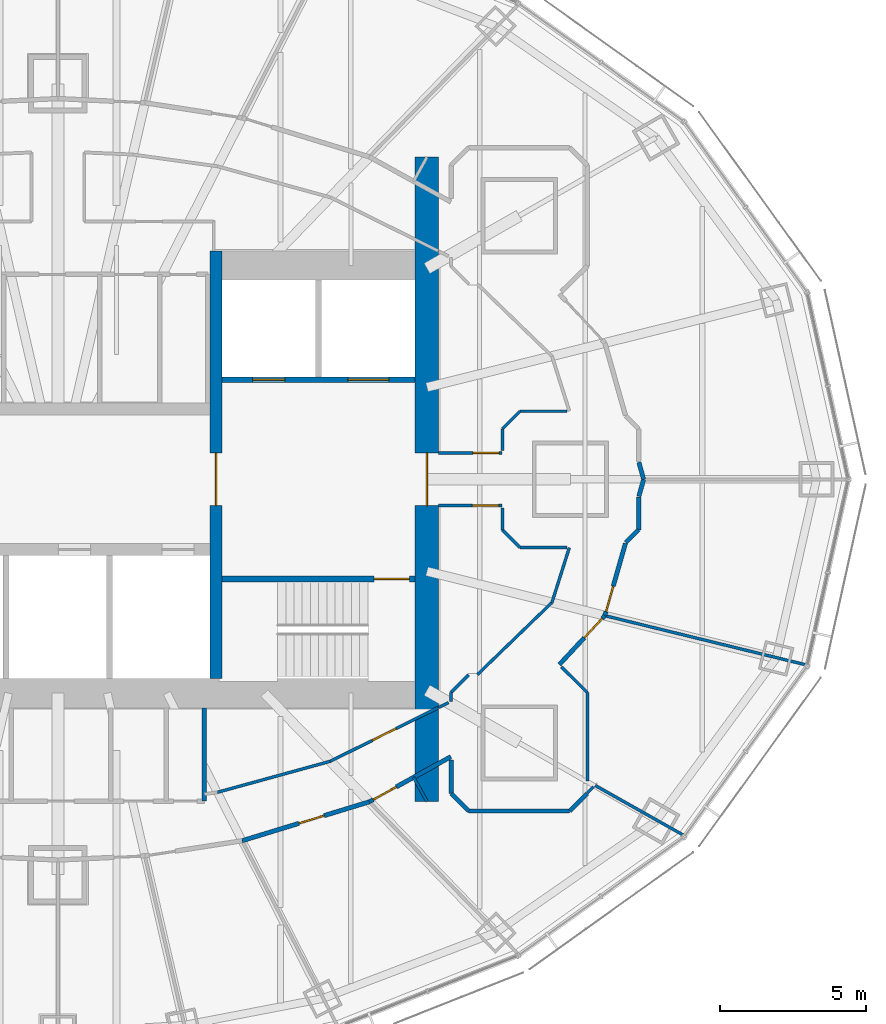
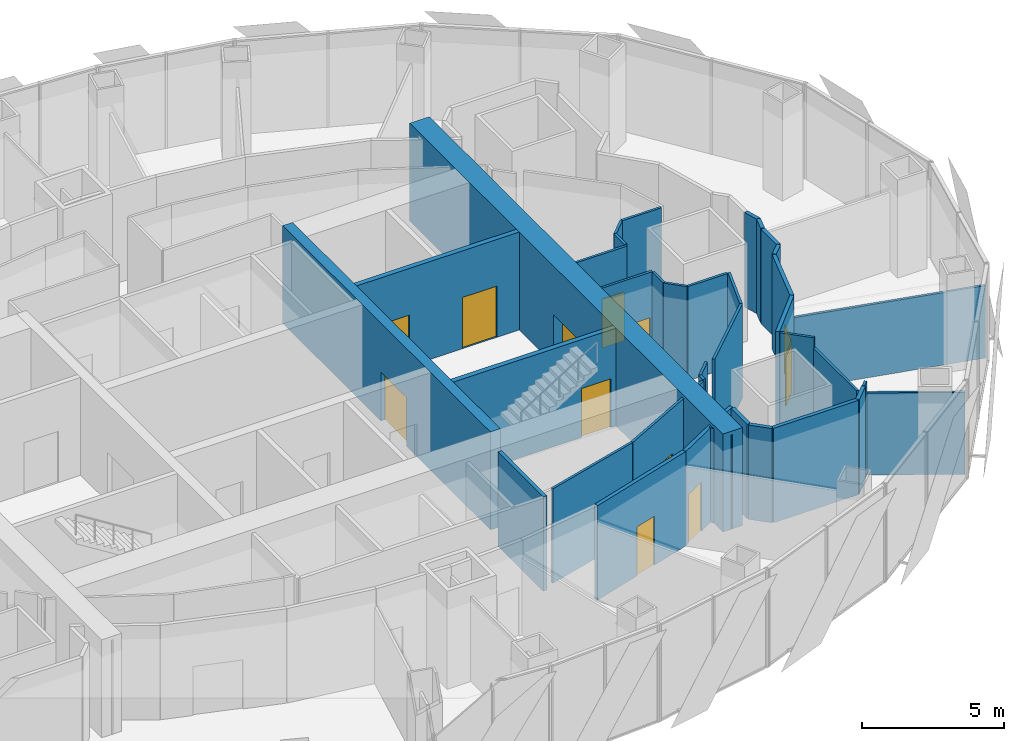
# One storey, part 14 of 19: 38 walls, 12 doors, 12 openings.
"""IFC4 building model written with IfcOpenShell, lengths in metres."""

import ifcopenshell
import ifcopenshell.guid

model = None  # the IFC model being written
_history = None  # IfcOwnerHistory: only IFC2X3 demands one
_inside = {}  # id of a spatial element -> (the spatial element, [elements in it])
_under = {}  # id of a project, library or spatial element -> (it, [spatial elements below it])
_declared = {}  # id of a project -> (the project, [libraries it declares])
_typed = {}  # id of a type object -> (the type object, [elements of that type])
_made_of = {}  # id of a material, layer set ... -> (it, [elements and type objects made of it])


def new_model(schema):
    """Start an empty IFC model of exactly this schema.

    Asked for "IFC4X3", IfcOpenShell would pick the latest addendum, in which some entities
    have other attributes; the version numbers below select the first issue.
    IFC2X3 requires an IfcOwnerHistory on every rooted entity: one is made here for all.
    """
    global model, _history
    if schema == "IFC4X3":
        model = ifcopenshell.file(schema_version=(4, 3, 0, 0))
    else:
        model = ifcopenshell.file(schema=schema)
    _inside.clear()
    _under.clear()
    _declared.clear()
    _typed.clear()
    _made_of.clear()
    _history = None
    if model.schema == "IFC2X3":
        org = make("IfcOrganization", Name="unknown")
        user = make(
            "IfcPersonAndOrganization",
            ThePerson=make("IfcPerson", FamilyName="unknown"),
            TheOrganization=org,
        )
        app = make(
            "IfcApplication",
            ApplicationDeveloper=org,
            Version="unknown",
            ApplicationFullName="unknown",
            ApplicationIdentifier="unknown",
        )
        _history = make(
            "IfcOwnerHistory",
            OwningUser=user,
            OwningApplication=app,
            ChangeAction="ADDED",
            CreationDate=0,
        )
    return model


def make(cls, **values):
    """One entity of the class cls with the attributes given. An attribute that is None is left unset."""
    return model.create_entity(
        cls, **{name: value for name, value in values.items() if value is not None}
    )


def rooted(cls, **values):
    """An entity with a GlobalId (a new one), such as an element, a storey or a relation."""
    return make(cls, GlobalId=ifcopenshell.guid.new(), OwnerHistory=_history, **values)


def si_unit(unit_type, name, prefix=None):
    """IfcSIUnit, for example si_unit("LENGTHUNIT", "METRE", prefix="MILLI")."""
    return make("IfcSIUnit", UnitType=unit_type, Prefix=prefix, Name=name)


def assignment(units):
    """IfcUnitAssignment: the units of a project."""
    return None if units is None else make("IfcUnitAssignment", Units=units)


def point(xyz):
    """IfcCartesianPoint."""
    return None if xyz is None else make("IfcCartesianPoint", Coordinates=xyz)


def direction(xyz):
    """IfcDirection."""
    return None if xyz is None else make("IfcDirection", DirectionRatios=xyz)


def frame(location, z_axis=None, x_axis=None):
    """IfcAxis2Placement3D, a coordinate frame: its origin and axes. An axis left out is left unset."""
    return make(
        "IfcAxis2Placement3D",
        Location=point(location),
        Axis=direction(z_axis),
        RefDirection=direction(x_axis),
    )


def frame_2d(location, x_axis=None):
    """IfcAxis2Placement2D, a coordinate frame in the plane: its origin and x axis."""
    return make(
        "IfcAxis2Placement2D", Location=point(location), RefDirection=direction(x_axis)
    )


def origin():
    """The frame at (0, 0, 0) with its axes left unset."""
    return frame((0.0, 0.0, 0.0))


def place(relative_to, where):
    """IfcLocalPlacement: puts the frame where relative to a parent placement (None: the world)."""
    return make(
        "IfcLocalPlacement", PlacementRelTo=relative_to, RelativePlacement=where
    )


def context(
    kind, dimensions, precision=None, world=None, true_north=None, identifier=None
):
    """IfcGeometricRepresentationContext, for example the 3D "Model" context."""
    return make(
        "IfcGeometricRepresentationContext",
        ContextIdentifier=identifier,
        ContextType=kind,
        CoordinateSpaceDimension=dimensions,
        Precision=precision,
        WorldCoordinateSystem=world,
        TrueNorth=true_north,
    )


def subcontext(parent, identifier, kind, view, scale=None):
    """IfcGeometricRepresentationSubContext, for example "Body" below "Model"."""
    return make(
        "IfcGeometricRepresentationSubContext",
        ContextIdentifier=identifier,
        ContextType=kind,
        ParentContext=parent,
        TargetScale=scale,
        TargetView=view,
    )


def project(units=None, contexts=None):
    """IfcProject with its units and contexts."""
    return rooted(
        "IfcProject",
        Name="project",
        RepresentationContexts=contexts,
        UnitsInContext=assignment(units),
    )


def spatial(cls, under=None, at=None, **own):
    """A site, building, storey or space (cls), placed at a placement, below another one or the project."""
    s = rooted(cls, ObjectPlacement=at, **own)
    if under is not None:
        _under.setdefault(under.id(), (under, []))[1].append(s)
    return s


def profile(cls, at=None, kind="AREA", **sizes):
    """A parametric profile (cls). Its sizes go by their IFC names, for example OverallWidth=200.0."""
    return make(cls, ProfileType=kind, Position=at, **sizes)


def rectangle(**sizes):
    """IfcRectangleProfileDef."""
    return profile("IfcRectangleProfileDef", **sizes)


def extrude(swept, where, along, depth):
    """IfcExtrudedAreaSolid: the profile swept, set in the frame where, extruded along a direction by depth."""
    return make(
        "IfcExtrudedAreaSolid",
        SweptArea=swept,
        Position=where,
        ExtrudedDirection=direction(along),
        Depth=depth,
    )


def shape(context_of_items, identifier, shape_type, items):
    """IfcShapeRepresentation: the items that make up one representation, for example the "Body"."""
    return make(
        "IfcShapeRepresentation",
        ContextOfItems=context_of_items,
        RepresentationIdentifier=identifier,
        RepresentationType=shape_type,
        Items=items,
    )


def material(Name=None, Category=None):
    """IfcMaterial."""
    return make("IfcMaterial", Name=Name, Category=Category)


def layer(
    of_material, thickness, ventilated=None, Name=None, Category=None, Priority=None
):
    """IfcMaterialLayer: one layer of a wall or slab, of a material (None: an air gap)."""
    return make(
        "IfcMaterialLayer",
        Material=of_material,
        LayerThickness=thickness,
        IsVentilated=ventilated,
        Name=Name,
        Category=Category,
        Priority=Priority,
    )


def layer_set(layers, Name=None):
    """IfcMaterialLayerSet."""
    return make("IfcMaterialLayerSet", MaterialLayers=layers, LayerSetName=Name)


def made_of(thing, what):
    """Note that an element or type object is made of a material, layer set ...; save() writes the relation."""
    if what is not None:
        _made_of.setdefault(what.id(), (what, []))[1].append(thing)
    return thing


def type_object(cls, material=None, **own):
    """A type object (cls), such as IfcWallType, which elements share."""
    return made_of(rooted(cls, **own), material)


def element(
    cls,
    number,
    at=None,
    inside=None,
    cuts=None,
    type_object=None,
    material=None,
    context=None,
    identifier="Body",
    shape_type=None,
    held_by="IfcProductDefinitionShape",
    body=None,
    shapes=None,
    **own,
):
    """One element of the class cls, such as IfcWall. Its Tag is "e" and its number.

    at: its placement. inside: the storey or other place that contains it. cuts: it is an
    opening in that element (IfcRelVoidsElement). A single representation is given by context,
    identifier, shape_type and body (its items); several are given by shapes. held_by: the class
    of the entity that holds the representations. save() writes the other relations.
    """
    e = rooted(cls, Tag="e%d" % number, ObjectPlacement=at, **own)
    if body is not None:
        shapes = [shape(context, identifier, shape_type, body)]
    if shapes is not None:
        e.Representation = make(held_by, Representations=shapes)
    if inside is not None:
        _inside.setdefault(inside.id(), (inside, []))[1].append(e)
    if cuts is not None:
        rooted(
            "IfcRelVoidsElement", RelatingBuildingElement=cuts, RelatedOpeningElement=e
        )
    if type_object is not None:
        _typed.setdefault(type_object.id(), (type_object, []))[1].append(e)
    return made_of(e, material)


def fill(opening, filler):
    """IfcRelFillsElement: the door or window that sits in an opening."""
    return rooted(
        "IfcRelFillsElement",
        RelatingOpeningElement=opening,
        RelatedBuildingElement=filler,
    )


def aggregate(whole, parts):
    """IfcRelAggregates: a whole, such as a stair, and the parts it consists of."""
    return rooted("IfcRelAggregates", RelatingObject=whole, RelatedObjects=parts)


def save(model, path):
    """Write the relations noted so far, then the file.

    IfcRelAggregates (storeys below a building ...), IfcRelContainedInSpatialStructure (elements
    in a storey), IfcRelDefinesByType, IfcRelAssociatesMaterial and IfcRelDeclares: one each for
    every whole, place, type object, material and project.
    """
    for whole, parts in _under.values():
        aggregate(whole, parts)
    for where, things in _inside.values():
        rooted(
            "IfcRelContainedInSpatialStructure",
            RelatedElements=things,
            RelatingStructure=where,
        )
    for kind, things in _typed.values():
        rooted("IfcRelDefinesByType", RelatedObjects=things, RelatingType=kind)
    for what, things in _made_of.values():
        rooted("IfcRelAssociatesMaterial", RelatedObjects=things, RelatingMaterial=what)
    for by, libraries in _declared.values():
        rooted("IfcRelDeclares", RelatingContext=by, RelatedDefinitions=libraries)
    model.write(path)


model = new_model("IFC4")

# Units and contexts
model_context = context("Model", 3, precision=1e-05, world=origin(), true_north=direction((0.0, 1.0)))
body_context = subcontext(model_context, "Body", "Model", "MODEL_VIEW")
ifc_project = project(units=[si_unit("LENGTHUNIT", "METRE"), si_unit("AREAUNIT", "SQUARE_METRE"), si_unit("VOLUMEUNIT", "CUBIC_METRE"), si_unit("PLANEANGLEUNIT", "RADIAN"), si_unit("MASSUNIT", "GRAM", prefix="KILO")], contexts=[model_context])

# Site, building, storey
site_placement = place(None, origin())
site = spatial("IfcSite", under=ifc_project, at=site_placement, CompositionType="ELEMENT")
building_placement = place(site_placement, origin())
building = spatial("IfcBuilding", under=site, at=building_placement, Name="Lantaw Convention Tower", CompositionType="ELEMENT")
storey_placement = place(building_placement, frame((0.0, 0.0, 245.199951171875)))
storey = spatial("IfcBuildingStorey", under=building, at=storey_placement, Name="L57", CompositionType="ELEMENT", Elevation=245.199951171875)

# Wall, opening, door
ifc_material_1 = material(Name="Concrete C60/75", Category="concrete")
ifc_layer_1 = layer(ifc_material_1, 0.199951171875)
ifc_layer_set_1 = layer_set([ifc_layer_1], Name="Core wall 200")
wall_type_1 = type_object("IfcWallType", Name="Core wall 200", PredefinedType="SHEAR", material=ifc_layer_set_1)
wall_1_placement = place(storey_placement, frame((5.60009765625, -3.39990234375, 0.0), z_axis=(0.0, 0.0, 1.0), x_axis=(1.0, 0.0, 0.0)))
wall_1 = element("IfcWall", 1, at=wall_1_placement, inside=storey, type_object=wall_type_1, Name="Core wall ES", PredefinedType="SHEAR", context=body_context, shape_type="SweptSolid", body=[
    extrude(rectangle(XDim=6.599853515625, YDim=0.199951171875, at=frame_2d((3.2998046875, 0.0))), origin(), (0.0, 0.0, 1.0), 4.199951171875),
])
opening_1_placement = place(wall_1_placement, frame((5.199951171875, 0.0, 0.0)))
opening_1 = element("IfcOpeningElement", 2, at=opening_1_placement, cuts=wall_1, Name="Opening L57.03", PredefinedType="OPENING", context=body_context, shape_type="SweptSolid", body=[
    extrude(rectangle(XDim=1.199951171875, YDim=2.10009765625, at=frame_2d((0.60009765625, 1.050048828125))), frame((0.0, 0.10986328125, 0.0), z_axis=(0.0, -1.0, 0.0), x_axis=(1.0, 0.0, 0.0)), (0.0, 0.0, 1.0), 0.219970703125),
])
ifc_material_2 = material(Name="Steel, fire rated", Category="steel")
door_type_1 = type_object("IfcDoorType", Name="Stair door FD90", OperationType="SINGLE_SWING_RIGHT", PredefinedType="DOOR", material=ifc_material_2)
door_1_placement = place(opening_1_placement, origin())
door_1 = element("IfcDoor", 3, at=door_1_placement, inside=storey, type_object=door_type_1, Name="Exit stair door", OperationType="SINGLE_SWING_RIGHT", OverallHeight=2.10009765625, OverallWidth=1.199951171875, PredefinedType="DOOR", context=body_context, shape_type="SweptSolid", body=[
    extrude(rectangle(XDim=1.199951171875, YDim=2.10009765625, at=frame_2d((0.60009765625, 1.050048828125))), frame((0.0, 0.02490234375, 0.0), z_axis=(0.0, -1.0, 0.0), x_axis=(1.0, 0.0, 0.0)), (0.0, 0.0, 1.0), 0.050048828125),
])
fill(opening_1, door_1)

ifc_layer_2 = layer(ifc_material_1, 0.39990234375)
ifc_layer_set_2 = layer_set([ifc_layer_2], Name="Core wall 400")
wall_type_2 = type_object("IfcWallType", Name="Core wall 400", PredefinedType="SHEAR", material=ifc_layer_set_2)
wall_2_placement = place(storey_placement, frame((5.39990234375, -6.800048828125, 0.0), z_axis=(0.0, 0.0, 1.0), x_axis=(0.0, 1.0, 0.0)))
wall_2 = element("IfcWall", 4, at=wall_2_placement, inside=storey, type_object=wall_type_2, Name="Core wall XE", PredefinedType="SHEAR", context=body_context, shape_type="SweptSolid", body=[
    extrude(rectangle(XDim=14.60009765625, YDim=0.39990234375, at=frame_2d((7.300048828125, 0.0))), origin(), (0.0, 0.0, 1.0), 4.199951171875),
])
opening_2_placement = place(wall_2_placement, frame((5.89990234375, 0.0, 0.0)))
opening_2 = element("IfcOpeningElement", 5, at=opening_2_placement, cuts=wall_2, Name="Opening L57.01", PredefinedType="OPENING", context=body_context, shape_type="SweptSolid", body=[
    extrude(rectangle(XDim=1.800048828125, YDim=2.10009765625, at=frame_2d((0.89990234375, 1.050048828125))), frame((0.0, 0.2099609375, 0.0), z_axis=(0.0, -1.0, 0.0), x_axis=(1.0, 0.0, 0.0)), (0.0, 0.0, 1.0), 0.419921875),
])
door_type_2 = type_object("IfcDoorType", Name="Lobby double door FD90", OperationType="DOUBLE_DOOR_DOUBLE_SWING", PredefinedType="DOOR", material=ifc_material_2)
door_2_placement = place(opening_2_placement, origin())
door_2 = element("IfcDoor", 6, at=door_2_placement, inside=storey, type_object=door_type_2, Name="Lift lobby door", OperationType="DOUBLE_DOOR_DOUBLE_SWING", OverallHeight=2.10009765625, OverallWidth=1.800048828125, PredefinedType="DOOR", context=body_context, shape_type="SweptSolid", body=[
    extrude(rectangle(XDim=1.800048828125, YDim=2.10009765625, at=frame_2d((0.89990234375, 1.050048828125))), frame((0.0, 0.02490234375, 0.0), z_axis=(0.0, -1.0, 0.0), x_axis=(1.0, 0.0, 0.0)), (0.0, 0.0, 1.0), 0.050048828125),
])
fill(opening_2, door_2)

ifc_layer_3 = layer(ifc_material_1, 0.800048828125)
ifc_layer_set_3 = layer_set([ifc_layer_3], Name="Core wall 800")
wall_type_3 = type_object("IfcWallType", Name="Core wall 800", PredefinedType="SHEAR", material=ifc_layer_set_3)
wall_3_placement = place(storey_placement, frame((12.60009765625, -11.0, 0.0), z_axis=(0.0, 0.0, 1.0), x_axis=(0.0, 1.0, 0.0)))
wall_3 = element("IfcWall", 7, at=wall_3_placement, inside=storey, type_object=wall_type_3, Name="Core wall E", PredefinedType="SHEAR", context=body_context, shape_type="SweptSolid", body=[
    extrude(rectangle(XDim=22.0, YDim=0.800048828125, at=frame_2d((11.0, 0.0))), origin(), (0.0, 0.0, 1.0), 4.199951171875),
])
opening_3_placement = place(wall_3_placement, frame((10.10009765625, 0.0, 0.0)))
opening_3 = element("IfcOpeningElement", 8, at=opening_3_placement, cuts=wall_3, Name="Opening L57.05", PredefinedType="OPENING", context=body_context, shape_type="SweptSolid", body=[
    extrude(rectangle(XDim=1.800048828125, YDim=2.10009765625, at=frame_2d((0.89990234375, 1.050048828125))), frame((0.0, 0.409912109375, 0.0), z_axis=(0.0, -1.0, 0.0), x_axis=(1.0, 0.0, 0.0)), (0.0, 0.0, 1.0), 0.820068359375),
])
door_3_placement = place(opening_3_placement, origin())
door_3 = element("IfcDoor", 9, at=door_3_placement, inside=storey, type_object=door_type_2, Name="Firefighting lobby door", OperationType="DOUBLE_DOOR_DOUBLE_SWING", OverallHeight=2.10009765625, OverallWidth=1.800048828125, PredefinedType="DOOR", context=body_context, shape_type="SweptSolid", body=[
    extrude(rectangle(XDim=1.800048828125, YDim=2.10009765625, at=frame_2d((0.89990234375, 1.050048828125))), frame((0.0, 0.02490234375, 0.0), z_axis=(0.0, -1.0, 0.0), x_axis=(1.0, 0.0, 0.0)), (0.0, 0.0, 1.0), 0.050048828125),
])
fill(opening_3, door_3)

ifc_material_3 = material(Name="Gypsum board on steel studs, fire rated", Category="steel")
ifc_layer_4 = layer(ifc_material_3, 0.14990234375)
ifc_layer_set_4 = layer_set([ifc_layer_4], Name="Corridor wall 150 EI 60")
wall_type_4 = type_object("IfcWallType", Name="Corridor wall 150 EI 60", PredefinedType="PARTITIONING", material=ifc_layer_set_4)
wall_4_placement = place(storey_placement, frame((6.287841796875, -12.3408203125, 0.0), z_axis=(0.0, 0.0, 1.0), x_axis=(0.956185837153, 0.292760388079, 0.0)))
wall_4 = element("IfcWall", 10, at=wall_4_placement, inside=storey, type_object=wall_type_4, Name="Corridor wall 150", PredefinedType="PARTITIONING", context=body_context, shape_type="SweptSolid", body=[
    extrude(rectangle(XDim=4.5439453125, YDim=0.14990234375, at=frame_2d((2.27197265625, 0.0))), origin(), (0.0, 0.0, 1.0), 4.050048828125),
])
opening_4_placement = place(wall_4_placement, frame((2.031005859375, 0.0, 0.0)))
opening_4 = element("IfcOpeningElement", 11, at=opening_4_placement, cuts=wall_4, Name="Opening L57.42", PredefinedType="OPENING", context=body_context, shape_type="SweptSolid", body=[
    extrude(rectangle(XDim=0.89990234375, YDim=2.10009765625, at=frame_2d((0.449951171875, 1.050048828125))), frame((0.0, 0.0849609375, 0.0), z_axis=(0.0, -1.0, 0.0), x_axis=(1.0, 0.0, 0.0)), (0.0, 0.0, 1.0), 0.169921875),
])
door_type_3 = type_object("IfcDoorType", Name="Office door 900 FD30", OperationType="SINGLE_SWING_LEFT", PredefinedType="DOOR", material=ifc_material_2)
door_4_placement = place(opening_4_placement, origin())
door_4 = element("IfcDoor", 12, at=door_4_placement, inside=storey, type_object=door_type_3, Name="Private office door", OperationType="SINGLE_SWING_LEFT", OverallHeight=2.10009765625, OverallWidth=0.89990234375, PredefinedType="DOOR", context=body_context, shape_type="SweptSolid", body=[
    extrude(rectangle(XDim=0.89990234375, YDim=2.10009765625, at=frame_2d((0.449951171875, 1.050048828125))), frame((0.0, 0.02490234375, 0.0), z_axis=(0.0, -1.0, 0.0), x_axis=(1.0, 0.0, 0.0)), (0.0, 0.0, 1.0), 0.050048828125),
])
fill(opening_4, door_4)

wall_5_placement = place(storey_placement, frame((10.6328125, -11.010498046875, 0.0), z_axis=(0.0, 0.0, 1.0), x_axis=(0.875072100837, 0.483992580869, 0.0)))
wall_5 = element("IfcWall", 13, at=wall_5_placement, inside=storey, type_object=wall_type_4, Name="Corridor wall 150", PredefinedType="PARTITIONING", context=body_context, shape_type="SweptSolid", body=[
    extrude(rectangle(XDim=3.179443359375, YDim=0.14990234375, at=frame_2d((1.58984375, 0.0))), origin(), (0.0, 0.0, 1.0), 4.050048828125),
])
opening_5_placement = place(wall_5_placement, frame((0.14990234375, 0.0, 0.0)))
opening_5 = element("IfcOpeningElement", 14, at=opening_5_placement, cuts=wall_5, Name="Opening L57.43", PredefinedType="OPENING", context=body_context, shape_type="SweptSolid", body=[
    extrude(rectangle(XDim=0.89990234375, YDim=2.10009765625, at=frame_2d((0.449951171875, 1.050048828125))), frame((0.0, 0.0849609375, 0.0), z_axis=(0.0, -1.0, 0.0), x_axis=(1.0, 0.0, 0.0)), (0.0, 0.0, 1.0), 0.169921875),
])
door_5_placement = place(opening_5_placement, origin())
door_5 = element("IfcDoor", 15, at=door_5_placement, inside=storey, type_object=door_type_3, Name="Private office door", OperationType="SINGLE_SWING_LEFT", OverallHeight=2.10009765625, OverallWidth=0.89990234375, PredefinedType="DOOR", context=body_context, shape_type="SweptSolid", body=[
    extrude(rectangle(XDim=0.89990234375, YDim=2.10009765625, at=frame_2d((0.449951171875, 1.050048828125))), frame((0.0, 0.02490234375, 0.0), z_axis=(0.0, -1.0, 0.0), x_axis=(1.0, 0.0, 0.0)), (0.0, 0.0, 1.0), 0.050048828125),
])
fill(opening_5, door_5)

wall_6_placement = place(storey_placement, frame((17.121337890625, -6.32470703125, 0.0), z_axis=(0.0, 0.0, 1.0), x_axis=(0.680985069419, 0.732297299755, 0.0)))
wall_6 = element("IfcWall", 16, at=wall_6_placement, inside=storey, type_object=wall_type_4, Name="Corridor wall 150", PredefinedType="PARTITIONING", context=body_context, shape_type="SweptSolid", body=[
    extrude(rectangle(XDim=2.279052734375, YDim=0.14990234375, at=frame_2d((1.1396484375, 0.0))), origin(), (0.0, 0.0, 1.0), 4.050048828125),
])
opening_6_placement = place(wall_6_placement, frame((1.25, 0.0, 0.0)))
opening_6 = element("IfcOpeningElement", 17, at=opening_6_placement, cuts=wall_6, Name="Opening L57.44", PredefinedType="OPENING", context=body_context, shape_type="SweptSolid", body=[
    extrude(rectangle(XDim=0.89990234375, YDim=2.10009765625, at=frame_2d((0.449951171875, 1.050048828125))), frame((0.0, 0.0849609375, 0.0), z_axis=(0.0, -1.0, 0.0), x_axis=(1.0, 0.0, 0.0)), (0.0, 0.0, 1.0), 0.169921875),
])
door_6_placement = place(opening_6_placement, origin())
door_6 = element("IfcDoor", 18, at=door_6_placement, inside=storey, type_object=door_type_3, Name="Pantry door", OperationType="SINGLE_SWING_LEFT", OverallHeight=2.10009765625, OverallWidth=0.89990234375, PredefinedType="DOOR", context=body_context, shape_type="SweptSolid", body=[
    extrude(rectangle(XDim=0.89990234375, YDim=2.10009765625, at=frame_2d((0.449951171875, 1.050048828125))), frame((0.0, 0.02490234375, 0.0), z_axis=(0.0, -1.0, 0.0), x_axis=(1.0, 0.0, 0.0)), (0.0, 0.0, 1.0), 0.050048828125),
])
fill(opening_6, door_6)

# Walls
wall_7_placement = place(storey_placement, frame((18.074951171875, -10.724609375, 0.0), z_axis=(0.0, 0.0, 1.0), x_axis=(-0.707106781187, -0.707106781187, 0.0)))
element("IfcWall", 19, at=wall_7_placement, inside=storey, type_object=wall_type_4, Name="Corridor wall 150", PredefinedType="PARTITIONING", context=body_context, shape_type="SweptSolid", body=[
    extrude(rectangle(XDim=0.84912109375, YDim=0.14990234375, at=frame_2d((0.424560546875, 0.0))), origin(), (0.0, 0.0, 1.0), 4.050048828125),
])
wall_8_placement = place(storey_placement, frame((17.474609375, -11.324951171875, 0.0), z_axis=(0.0, 0.0, 1.0), x_axis=(-1.0, 0.0, 0.0)))
element("IfcWall", 20, at=wall_8_placement, inside=storey, type_object=wall_type_4, Name="Corridor wall 150", PredefinedType="PARTITIONING", context=body_context, shape_type="SweptSolid", body=[
    extrude(rectangle(XDim=3.44921875, YDim=0.14990234375, at=frame_2d((1.724609375, 0.0))), origin(), (0.0, 0.0, 1.0), 4.050048828125),
])
wall_9_placement = place(storey_placement, frame((14.025390625, -11.324951171875, 0.0), z_axis=(0.0, 0.0, 1.0), x_axis=(-0.707106781187, 0.707106781187, 0.0)))
element("IfcWall", 21, at=wall_9_placement, inside=storey, type_object=wall_type_4, Name="Corridor wall 150", PredefinedType="PARTITIONING", context=body_context, shape_type="SweptSolid", body=[
    extrude(rectangle(XDim=0.84912109375, YDim=0.14990234375, at=frame_2d((0.424560546875, 0.0))), origin(), (0.0, 0.0, 1.0), 4.050048828125),
])
wall_10_placement = place(storey_placement, frame((13.425048828125, -10.724609375, 0.0), z_axis=(0.0, 0.0, 1.0), x_axis=(0.0, 1.0, 0.0)))
element("IfcWall", 22, at=wall_10_placement, inside=storey, type_object=wall_type_4, Name="Corridor wall 150", PredefinedType="PARTITIONING", context=body_context, shape_type="SweptSolid", body=[
    extrude(rectangle(XDim=1.138427734375, YDim=0.14990234375, at=frame_2d((0.5693359375, 0.0))), origin(), (0.0, 0.0, 1.0), 4.050048828125),
])
wall_11_placement = place(storey_placement, frame((20.0, 0.0, 0.0), z_axis=(0.0, 0.0, 1.0), x_axis=(-0.27407847996, 0.961707329089, 0.0)))
element("IfcWall", 23, at=wall_11_placement, inside=storey, type_object=wall_type_4, Name="Corridor wall 150", PredefinedType="PARTITIONING", context=body_context, shape_type="SweptSolid", body=[
    extrude(rectangle(XDim=0.60205078125, YDim=0.14990234375, at=frame_2d((0.301025390625, 0.0))), origin(), (0.0, 0.0, 1.0), 4.050048828125),
])

# Wall, opening, door
wall_12_placement = place(storey_placement, frame((18.67333984375, -4.65576171875, 0.0), z_axis=(0.0, 0.0, 1.0), x_axis=(0.274067949327, 0.961710330168, 0.0)))
wall_12 = element("IfcWall", 24, at=wall_12_placement, inside=storey, type_object=wall_type_4, Name="Corridor wall 150", PredefinedType="PARTITIONING", context=body_context, shape_type="SweptSolid", body=[
    extrude(rectangle(XDim=2.5673828125, YDim=0.14990234375, at=frame_2d((1.28369140625, 0.0))), origin(), (0.0, 0.0, 1.0), 4.050048828125),
])
opening_7_placement = place(wall_12_placement, frame((0.14990234375, 0.0, 0.0)))
opening_7 = element("IfcOpeningElement", 25, at=opening_7_placement, cuts=wall_12, Name="Opening L57.45", PredefinedType="OPENING", context=body_context, shape_type="SweptSolid", body=[
    extrude(rectangle(XDim=0.89990234375, YDim=2.10009765625, at=frame_2d((0.449951171875, 1.050048828125))), frame((0.0, 0.0849609375, 0.0), z_axis=(0.0, -1.0, 0.0), x_axis=(1.0, 0.0, 0.0)), (0.0, 0.0, 1.0), 0.169921875),
])
door_7_placement = place(opening_7_placement, origin())
door_7 = element("IfcDoor", 26, at=door_7_placement, inside=storey, type_object=door_type_3, Name="Quiet room door", OperationType="SINGLE_SWING_LEFT", OverallHeight=2.10009765625, OverallWidth=0.89990234375, PredefinedType="DOOR", context=body_context, shape_type="SweptSolid", body=[
    extrude(rectangle(XDim=0.89990234375, YDim=2.10009765625, at=frame_2d((0.449951171875, 1.050048828125))), frame((0.0, 0.02490234375, 0.0), z_axis=(0.0, -1.0, 0.0), x_axis=(1.0, 0.0, 0.0)), (0.0, 0.0, 1.0), 0.050048828125),
])
fill(opening_7, door_7)

# Walls
wall_13_placement = place(storey_placement, frame((19.8349609375, -0.5791015625, 0.0), z_axis=(0.0, 0.0, 1.0), x_axis=(0.27407847996, 0.961707329089, 0.0)))
element("IfcWall", 27, at=wall_13_placement, inside=storey, type_object=wall_type_4, Name="Corridor wall 150", PredefinedType="PARTITIONING", context=body_context, shape_type="SweptSolid", body=[
    extrude(rectangle(XDim=0.60205078125, YDim=0.14990234375, at=frame_2d((0.301025390625, 0.0))), origin(), (0.0, 0.0, 1.0), 4.050048828125),
])
wall_14_placement = place(storey_placement, frame((19.824951171875, -0.607421875, 0.0), z_axis=(0.0, 0.0, 1.0), x_axis=(0.0, -1.0, 0.0)))
element("IfcWall", 28, at=wall_14_placement, inside=storey, type_object=wall_type_4, Name="Corridor wall 150", PredefinedType="PARTITIONING", context=body_context, shape_type="SweptSolid", body=[
    extrude(rectangle(XDim=1.1171875, YDim=0.14990234375, at=frame_2d((0.55859375, 0.0))), origin(), (0.0, 0.0, 1.0), 4.050048828125),
])
wall_15_placement = place(storey_placement, frame((19.824951171875, -1.724609375, 0.0), z_axis=(0.0, 0.0, 1.0), x_axis=(-0.707106781187, -0.707106781187, 0.0)))
element("IfcWall", 29, at=wall_15_placement, inside=storey, type_object=wall_type_4, Name="Corridor wall 150", PredefinedType="PARTITIONING", context=body_context, shape_type="SweptSolid", body=[
    extrude(rectangle(XDim=0.614990234375, YDim=0.14990234375, at=frame_2d((0.3076171875, 0.0))), origin(), (0.0, 0.0, 1.0), 4.050048828125),
])
ifc_material_4 = material(Name="Gypsum board on steel studs, acoustic", Category="steel")
ifc_layer_5 = layer(ifc_material_4, 0.10009765625)
ifc_layer_set_5 = layer_set([ifc_layer_5], Name="Office partition 100")
wall_type_5 = type_object("IfcWallType", Name="Office partition 100", PredefinedType="PARTITIONING", material=ifc_layer_set_5)
wall_16_placement = place(storey_placement, frame((25.54296875, -6.33544921875, 0.0), z_axis=(0.0, 0.0, 1.0), x_axis=(-0.971384494438, 0.237512450129, 0.0)))
element("IfcWall", 30, at=wall_16_placement, inside=storey, type_object=wall_type_5, Name="Office partition 100", PredefinedType="PARTITIONING", context=body_context, shape_type="SweptSolid", body=[
    extrude(rectangle(XDim=7.072021484375, YDim=0.10009765625, at=frame_2d((3.5361328125, 0.0))), origin(), (0.0, 0.0, 1.0), 3.107666015625),
])

# Wall, opening, door
wall_17_placement = place(storey_placement, frame((12.976806640625, -7.800048828125, 0.0), z_axis=(0.0, 0.0, 1.0), x_axis=(-0.895529831139, -0.445001484874, 0.0)))
wall_17 = element("IfcWall", 31, at=wall_17_placement, inside=storey, type_object=wall_type_5, Name="Office partition 100", PredefinedType="PARTITIONING", context=body_context, shape_type="SweptSolid", body=[
    extrude(rectangle(XDim=4.108154296875, YDim=0.10009765625, at=frame_2d((2.05419921875, 0.0))), origin(), (0.0, 0.0, 1.0), 4.050048828125),
])
opening_8_placement = place(wall_17_placement, frame((1.60400390625, 0.0, 0.0)))
opening_8 = element("IfcOpeningElement", 32, at=opening_8_placement, cuts=wall_17, Name="Opening L57.24", PredefinedType="OPENING", context=body_context, shape_type="SweptSolid", body=[
    extrude(rectangle(XDim=0.89990234375, YDim=2.10009765625, at=frame_2d((0.449951171875, 1.050048828125))), frame((0.0, 0.06005859375, 0.0), z_axis=(0.0, -1.0, 0.0), x_axis=(1.0, 0.0, 0.0)), (0.0, 0.0, 1.0), 0.1201171875),
])
ifc_material_5 = material(Name="Timber", Category="wood")
door_type_4 = type_object("IfcDoorType", Name="Office door 900", OperationType="SINGLE_SWING_LEFT", PredefinedType="DOOR", material=ifc_material_5)
door_8_placement = place(opening_8_placement, origin())
door_8 = element("IfcDoor", 33, at=door_8_placement, inside=storey, type_object=door_type_4, Name="Tenant storage room door", OperationType="SINGLE_SWING_LEFT", OverallHeight=2.10009765625, OverallWidth=0.89990234375, PredefinedType="DOOR", context=body_context, shape_type="SweptSolid", body=[
    extrude(rectangle(XDim=0.89990234375, YDim=2.10009765625, at=frame_2d((0.449951171875, 1.050048828125))), frame((0.0, 0.02490234375, 0.0), z_axis=(0.0, -1.0, 0.0), x_axis=(1.0, 0.0, 0.0)), (0.0, 0.0, 1.0), 0.050048828125),
])
fill(opening_8, door_8)

# Walls
wall_18_placement = place(storey_placement, frame((9.2978515625, -9.628173828125, 0.0), z_axis=(0.0, 0.0, 1.0), x_axis=(-0.964244438722, -0.265014456954, 0.0)))
element("IfcWall", 34, at=wall_18_placement, inside=storey, type_object=wall_type_5, Name="Office partition 100", PredefinedType="PARTITIONING", context=body_context, shape_type="SweptSolid", body=[
    extrude(rectangle(XDim=3.995361328125, YDim=0.10009765625, at=frame_2d((1.99755859375, 0.0))), origin(), (0.0, 0.0, 1.0), 4.050048828125),
])
wall_19_placement = place(storey_placement, frame((13.3369140625, -7.62109375, 0.0), z_axis=(0.0, 0.0, 1.0), x_axis=(-0.895721570004, -0.444615416995, 0.0)))
element("IfcWall", 35, at=wall_19_placement, inside=storey, type_object=wall_type_5, Name="Office partition 100", PredefinedType="PARTITIONING", context=body_context, shape_type="SweptSolid", body=[
    extrude(rectangle(XDim=0.376220703125, YDim=0.10009765625, at=frame_2d((0.18798828125, 0.0))), origin(), (0.0, 0.0, 1.0), 4.050048828125),
])
wall_20_placement = place(storey_placement, frame((12.60009765625, -11.0, 0.0), z_axis=(0.0, 0.0, 1.0), x_axis=(-0.484103558985, 0.875010710893, 0.0)))
element("IfcWall", 36, at=wall_20_placement, inside=storey, type_object=wall_type_5, Name="Office partition 100", PredefinedType="PARTITIONING", context=body_context, shape_type="SweptSolid", body=[
    extrude(rectangle(XDim=0.943115234375, YDim=0.10009765625, at=frame_2d((0.4716796875, 0.0))), origin(), (0.0, 0.0, 1.0), 4.050048828125),
])
wall_21_placement = place(storey_placement, frame((21.3583984375, -12.149658203125, 0.0), z_axis=(0.0, 0.0, 1.0), x_axis=(-0.871494482514, 0.49040530885, 0.0)))
element("IfcWall", 37, at=wall_21_placement, inside=storey, type_object=wall_type_5, Name="Office partition 100", PredefinedType="PARTITIONING", context=body_context, shape_type="SweptSolid", body=[
    extrude(rectangle(XDim=3.45947265625, YDim=0.10009765625, at=frame_2d((1.729736328125, 0.0))), origin(), (0.0, 0.0, 1.0), 3.521728515625),
])
wall_22_placement = place(storey_placement, frame((16.8681640625, -4.205810546875, 0.0), z_axis=(0.0, 0.0, 1.0), x_axis=(-0.718810161381, -0.695206409562, 0.0)))
element("IfcWall", 38, at=wall_22_placement, inside=storey, type_object=wall_type_5, Name="Office partition 100", PredefinedType="PARTITIONING", context=body_context, shape_type="SweptSolid", body=[
    extrude(rectangle(XDim=3.537353515625, YDim=0.10009765625, at=frame_2d((1.7685546875, 0.0))), origin(), (0.0, 0.0, 1.0), 4.050048828125),
])
wall_23_placement = place(storey_placement, frame((13.425048828125, -7.57763671875, 0.0), z_axis=(0.0, 0.0, 1.0), x_axis=(0.0, 1.0, 0.0)))
element("IfcWall", 39, at=wall_23_placement, inside=storey, type_object=wall_type_5, Name="Office partition 100", PredefinedType="PARTITIONING", context=body_context, shape_type="SweptSolid", body=[
    extrude(rectangle(XDim=0.30224609375, YDim=0.10009765625, at=frame_2d((0.151123046875, 0.0))), origin(), (0.0, 0.0, 1.0), 4.050048828125),
])
wall_24_placement = place(storey_placement, frame((13.425048828125, -7.275390625, 0.0), z_axis=(0.0, 0.0, 1.0), x_axis=(0.707106781187, 0.707106781187, 0.0)))
element("IfcWall", 40, at=wall_24_placement, inside=storey, type_object=wall_type_5, Name="Office partition 100", PredefinedType="PARTITIONING", context=body_context, shape_type="SweptSolid", body=[
    extrude(rectangle(XDim=0.84912109375, YDim=0.10009765625, at=frame_2d((0.424560546875, 0.0))), origin(), (0.0, 0.0, 1.0), 4.050048828125),
])
wall_25_placement = place(storey_placement, frame((18.289306640625, -10.493408203125, 0.0), z_axis=(0.0, 0.0, 1.0), x_axis=(-0.707509576179, -0.706703756616, 0.0)))
element("IfcWall", 41, at=wall_25_placement, inside=storey, type_object=wall_type_5, Name="Office partition 100", PredefinedType="PARTITIONING", context=body_context, shape_type="SweptSolid", body=[
    extrude(rectangle(XDim=0.302978515625, YDim=0.10009765625, at=frame_2d((0.1513671875, 0.0))), origin(), (0.0, 0.0, 1.0), 4.050048828125),
])
wall_26_placement = place(storey_placement, frame((17.1865234375, -6.40380859375, 0.0), z_axis=(0.0, 0.0, 1.0), x_axis=(0.713842064016, -0.700306723973, 0.0)))
element("IfcWall", 42, at=wall_26_placement, inside=storey, type_object=wall_type_5, Name="Office partition 100", PredefinedType="PARTITIONING", context=body_context, shape_type="SweptSolid", body=[
    extrude(rectangle(XDim=1.24462890625, YDim=0.10009765625, at=frame_2d((0.622314453125, 0.0))), origin(), (0.0, 0.0, 1.0), 4.050048828125),
])
wall_27_placement = place(storey_placement, frame((18.074951171875, -7.275390625, 0.0), z_axis=(0.0, 0.0, 1.0), x_axis=(0.0, -1.0, 0.0)))
element("IfcWall", 43, at=wall_27_placement, inside=storey, type_object=wall_type_5, Name="Office partition 100", PredefinedType="PARTITIONING", context=body_context, shape_type="SweptSolid", body=[
    extrude(rectangle(XDim=3.026611328125, YDim=0.10009765625, at=frame_2d((1.51318359375, 0.0))), origin(), (0.0, 0.0, 1.0), 3.6005859375),
])

# Wall, opening, door
wall_28_placement = place(storey_placement, frame((13.0, -0.89990234375, 0.0), z_axis=(0.0, 0.0, 1.0), x_axis=(1.0, 0.0, 0.0)))
wall_28 = element("IfcWall", 44, at=wall_28_placement, inside=storey, type_object=wall_type_5, Name="Office partition 100", PredefinedType="PARTITIONING", context=body_context, shape_type="SweptSolid", body=[
    extrude(rectangle(XDim=2.1650390625, YDim=0.10009765625, at=frame_2d((1.08251953125, 0.0))), origin(), (0.0, 0.0, 1.0), 4.050048828125),
])
opening_9_placement = place(wall_28_placement, frame((1.14990234375, 0.0, 0.0)))
opening_9 = element("IfcOpeningElement", 45, at=opening_9_placement, cuts=wall_28, Name="Opening L57.25", PredefinedType="OPENING", context=body_context, shape_type="SweptSolid", body=[
    extrude(rectangle(XDim=0.89990234375, YDim=2.10009765625, at=frame_2d((0.449951171875, 1.050048828125))), frame((0.0, 0.06005859375, 0.0), z_axis=(0.0, -1.0, 0.0), x_axis=(1.0, 0.0, 0.0)), (0.0, 0.0, 1.0), 0.1201171875),
])
door_9_placement = place(opening_9_placement, origin())
door_9 = element("IfcDoor", 46, at=door_9_placement, inside=storey, type_object=door_type_4, Name="Meeting room door", OperationType="SINGLE_SWING_LEFT", OverallHeight=2.10009765625, OverallWidth=0.89990234375, PredefinedType="DOOR", context=body_context, shape_type="SweptSolid", body=[
    extrude(rectangle(XDim=0.89990234375, YDim=2.10009765625, at=frame_2d((0.449951171875, 1.050048828125))), frame((0.0, 0.02490234375, 0.0), z_axis=(0.0, -1.0, 0.0), x_axis=(1.0, 0.0, 0.0)), (0.0, 0.0, 1.0), 0.050048828125),
])
fill(opening_9, door_9)

# Wall
wall_29_placement = place(storey_placement, frame((17.46044921875, -2.3349609375, 0.0), z_axis=(0.0, 0.0, 1.0), x_axis=(-0.301821975729, -0.953364303384, 0.0)))
element("IfcWall", 47, at=wall_29_placement, inside=storey, type_object=wall_type_5, Name="Office partition 100", PredefinedType="PARTITIONING", context=body_context, shape_type="SweptSolid", body=[
    extrude(rectangle(XDim=1.96240234375, YDim=0.10009765625, at=frame_2d((0.981201171875, 0.0))), origin(), (0.0, 0.0, 1.0), 4.050048828125),
])

# Wall, opening, door
wall_30_placement = place(storey_placement, frame((15.1650390625, 0.89990234375, 0.0), z_axis=(0.0, 0.0, 1.0), x_axis=(-1.0, 0.0, 0.0)))
wall_30 = element("IfcWall", 48, at=wall_30_placement, inside=storey, type_object=wall_type_5, Name="Office partition 100", PredefinedType="PARTITIONING", context=body_context, shape_type="SweptSolid", body=[
    extrude(rectangle(XDim=2.1650390625, YDim=0.10009765625, at=frame_2d((1.08251953125, 0.0))), origin(), (0.0, 0.0, 1.0), 4.050048828125),
])
opening_10_placement = place(wall_30_placement, frame((0.10009765625, 0.0, 0.0)))
opening_10 = element("IfcOpeningElement", 49, at=opening_10_placement, cuts=wall_30, Name="Opening L57.26", PredefinedType="OPENING", context=body_context, shape_type="SweptSolid", body=[
    extrude(rectangle(XDim=0.89990234375, YDim=2.10009765625, at=frame_2d((0.449951171875, 1.050048828125))), frame((0.0, 0.06005859375, 0.0), z_axis=(0.0, -1.0, 0.0), x_axis=(1.0, 0.0, 0.0)), (0.0, 0.0, 1.0), 0.1201171875),
])
door_10_placement = place(opening_10_placement, origin())
door_10 = element("IfcDoor", 50, at=door_10_placement, inside=storey, type_object=door_type_4, Name="Copy and print room door", OperationType="SINGLE_SWING_LEFT", OverallHeight=2.10009765625, OverallWidth=0.89990234375, PredefinedType="DOOR", context=body_context, shape_type="SweptSolid", body=[
    extrude(rectangle(XDim=0.89990234375, YDim=2.10009765625, at=frame_2d((0.449951171875, 1.050048828125))), frame((0.0, 0.02490234375, 0.0), z_axis=(0.0, -1.0, 0.0), x_axis=(1.0, 0.0, 0.0)), (0.0, 0.0, 1.0), 0.050048828125),
])
fill(opening_10, door_10)

# Walls
wall_31_placement = place(storey_placement, frame((15.175048828125, -1.724609375, 0.0), z_axis=(0.0, 0.0, 1.0), x_axis=(0.0, 1.0, 0.0)))
element("IfcWall", 51, at=wall_31_placement, inside=storey, type_object=wall_type_5, Name="Office partition 100", PredefinedType="PARTITIONING", context=body_context, shape_type="SweptSolid", body=[
    extrude(rectangle(XDim=0.746337890625, YDim=0.10009765625, at=frame_2d((0.373046875, 0.0))), origin(), (0.0, 0.0, 1.0), 4.050048828125),
])
wall_32_placement = place(storey_placement, frame((17.3798828125, -2.324951171875, 0.0), z_axis=(0.0, 0.0, 1.0), x_axis=(-1.0, 0.0, 0.0)))
element("IfcWall", 52, at=wall_32_placement, inside=storey, type_object=wall_type_5, Name="Office partition 100", PredefinedType="PARTITIONING", context=body_context, shape_type="SweptSolid", body=[
    extrude(rectangle(XDim=1.6044921875, YDim=0.10009765625, at=frame_2d((0.80224609375, 0.0))), origin(), (0.0, 0.0, 1.0), 4.050048828125),
])
wall_33_placement = place(storey_placement, frame((15.775390625, -2.324951171875, 0.0), z_axis=(0.0, 0.0, 1.0), x_axis=(-0.707106781187, 0.707106781187, 0.0)))
element("IfcWall", 53, at=wall_33_placement, inside=storey, type_object=wall_type_5, Name="Office partition 100", PredefinedType="PARTITIONING", context=body_context, shape_type="SweptSolid", body=[
    extrude(rectangle(XDim=0.84912109375, YDim=0.10009765625, at=frame_2d((0.424560546875, 0.0))), origin(), (0.0, 0.0, 1.0), 4.050048828125),
])
wall_34_placement = place(storey_placement, frame((15.175048828125, 0.978271484375, 0.0), z_axis=(0.0, 0.0, 1.0), x_axis=(0.0, 1.0, 0.0)))
element("IfcWall", 54, at=wall_34_placement, inside=storey, type_object=wall_type_5, Name="Office partition 100", PredefinedType="PARTITIONING", context=body_context, shape_type="SweptSolid", body=[
    extrude(rectangle(XDim=0.746337890625, YDim=0.10009765625, at=frame_2d((0.373046875, 0.0))), origin(), (0.0, 0.0, 1.0), 4.050048828125),
])
wall_35_placement = place(storey_placement, frame((15.175048828125, 1.724609375, 0.0), z_axis=(0.0, 0.0, 1.0), x_axis=(0.707106781187, 0.707106781187, 0.0)))
element("IfcWall", 55, at=wall_35_placement, inside=storey, type_object=wall_type_5, Name="Office partition 100", PredefinedType="PARTITIONING", context=body_context, shape_type="SweptSolid", body=[
    extrude(rectangle(XDim=0.84912109375, YDim=0.10009765625, at=frame_2d((0.424560546875, 0.0))), origin(), (0.0, 0.0, 1.0), 4.050048828125),
])
wall_36_placement = place(storey_placement, frame((15.775390625, 2.324951171875, 0.0), z_axis=(0.0, 0.0, 1.0), x_axis=(1.0, 0.0, 0.0)))
element("IfcWall", 56, at=wall_36_placement, inside=storey, type_object=wall_type_5, Name="Office partition 100", PredefinedType="PARTITIONING", context=body_context, shape_type="SweptSolid", body=[
    extrude(rectangle(XDim=1.6044921875, YDim=0.10009765625, at=frame_2d((0.80224609375, 0.0))), origin(), (0.0, 0.0, 1.0), 4.050048828125),
])

# Wall, openings, doors
ifc_material_6 = material(Name="Concrete blockwork, fire rated", Category="masonry")
ifc_layer_6 = layer(ifc_material_6, 0.199951171875)
ifc_layer_set_6 = layer_set([ifc_layer_6], Name="Shaft wall 200")
wall_type_6 = type_object("IfcWallType", Name="Shaft wall 200", PredefinedType="SOLIDWALL", material=ifc_layer_set_6)
wall_37_placement = place(storey_placement, frame((12.199951171875, 3.39990234375, 0.0), z_axis=(0.0, 0.0, 1.0), x_axis=(-1.0, 0.0, 0.0)))
wall_37 = element("IfcWall", 57, at=wall_37_placement, inside=storey, type_object=wall_type_6, Name="Shaft wall EN", PredefinedType="SOLIDWALL", context=body_context, shape_type="SweptSolid", body=[
    extrude(rectangle(XDim=6.599853515625, YDim=0.199951171875, at=frame_2d((3.2998046875, 0.0))), origin(), (0.0, 0.0, 1.0), 4.199951171875),
])
opening_11_placement = place(wall_37_placement, frame((4.449951171875, 0.0, 0.0)))
opening_11 = element("IfcOpeningElement", 58, at=opening_11_placement, cuts=wall_37, Name="Opening L57.12", PredefinedType="OPENING", context=body_context, shape_type="SweptSolid", body=[
    extrude(rectangle(XDim=1.10009765625, YDim=2.199951171875, at=frame_2d((0.550048828125, 1.10009765625))), frame((0.0, 0.10986328125, 0.0), z_axis=(0.0, -1.0, 0.0), x_axis=(1.0, 0.0, 0.0)), (0.0, 0.0, 1.0), 0.219970703125),
])
opening_12_placement = place(wall_37_placement, frame((0.89990234375, 0.0, 0.0)))
opening_12 = element("IfcOpeningElement", 59, at=opening_12_placement, cuts=wall_37, Name="Opening L57.13", PredefinedType="OPENING", context=body_context, shape_type="SweptSolid", body=[
    extrude(rectangle(XDim=1.39990234375, YDim=2.199951171875, at=frame_2d((0.699951171875, 1.10009765625))), frame((0.0, 0.10986328125, 0.0), z_axis=(0.0, -1.0, 0.0), x_axis=(1.0, 0.0, 0.0)), (0.0, 0.0, 1.0), 0.219970703125),
])
ifc_material_7 = material(Name="Stainless steel", Category="steel")
door_type_5 = type_object("IfcDoorType", Name="Lift landing door 1100", OperationType="DOUBLE_DOOR_SLIDING", PredefinedType="DOOR", material=ifc_material_7)
door_11_placement = place(opening_11_placement, origin())
door_11 = element("IfcDoor", 60, at=door_11_placement, inside=storey, type_object=door_type_5, Name="Lift landing door FF2", OperationType="DOUBLE_DOOR_SLIDING", OverallHeight=2.199951171875, OverallWidth=1.10009765625, PredefinedType="DOOR", context=body_context, shape_type="SweptSolid", body=[
    extrude(rectangle(XDim=1.10009765625, YDim=2.199951171875, at=frame_2d((0.550048828125, 1.10009765625))), frame((0.0, 0.02490234375, 0.0), z_axis=(0.0, -1.0, 0.0), x_axis=(1.0, 0.0, 0.0)), (0.0, 0.0, 1.0), 0.050048828125),
])
fill(opening_11, door_11)
door_type_6 = type_object("IfcDoorType", Name="Lift landing door 1400", OperationType="DOUBLE_DOOR_SLIDING", PredefinedType="DOOR", material=ifc_material_7)
door_12_placement = place(opening_12_placement, origin())
door_12 = element("IfcDoor", 61, at=door_12_placement, inside=storey, type_object=door_type_6, Name="Lift landing door SV2", OperationType="DOUBLE_DOOR_SLIDING", OverallHeight=2.199951171875, OverallWidth=1.39990234375, PredefinedType="DOOR", context=body_context, shape_type="SweptSolid", body=[
    extrude(rectangle(XDim=1.39990234375, YDim=2.199951171875, at=frame_2d((0.699951171875, 1.10009765625))), frame((0.0, 0.02490234375, 0.0), z_axis=(0.0, -1.0, 0.0), x_axis=(1.0, 0.0, 0.0)), (0.0, 0.0, 1.0), 0.050048828125),
])
fill(opening_12, door_12)

# Wall
ifc_material_8 = material(Name="Concrete blockwork", Category="masonry")
ifc_layer_7 = layer(ifc_material_8, 0.14990234375)
ifc_layer_set_7 = layer_set([ifc_layer_7], Name="WC wall 150")
wall_type_7 = type_object("IfcWallType", Name="WC wall 150", PredefinedType="SOLIDWALL", material=ifc_layer_set_7)
wall_38_placement = place(storey_placement, frame((5.0, -7.800048828125, 0.0), z_axis=(0.0, 0.0, 1.0), x_axis=(0.0, -1.0, 0.0)))
element("IfcWall", 62, at=wall_38_placement, inside=storey, type_object=wall_type_7, Name="WC wall 150", PredefinedType="SOLIDWALL", context=body_context, shape_type="SweptSolid", body=[
    extrude(rectangle(XDim=3.18701171875, YDim=0.14990234375, at=frame_2d((1.593505859375, 0.0))), origin(), (0.0, 0.0, 1.0), 4.050048828125),
])

save(model, "model.ifc")
